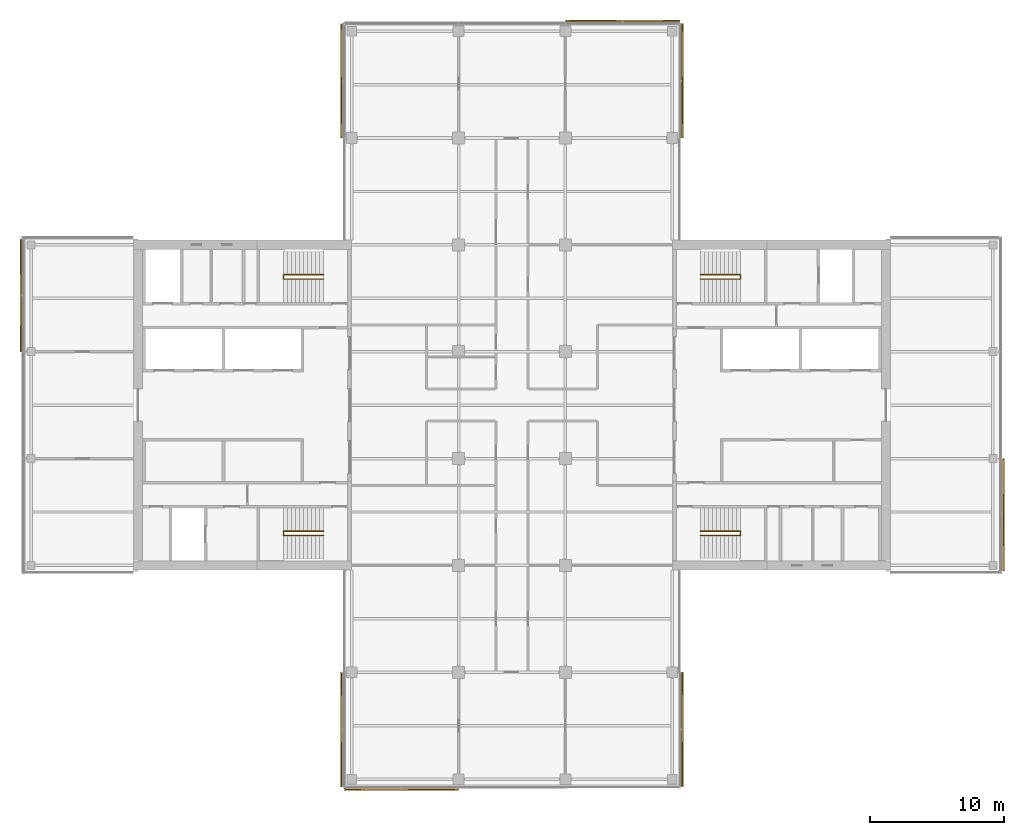
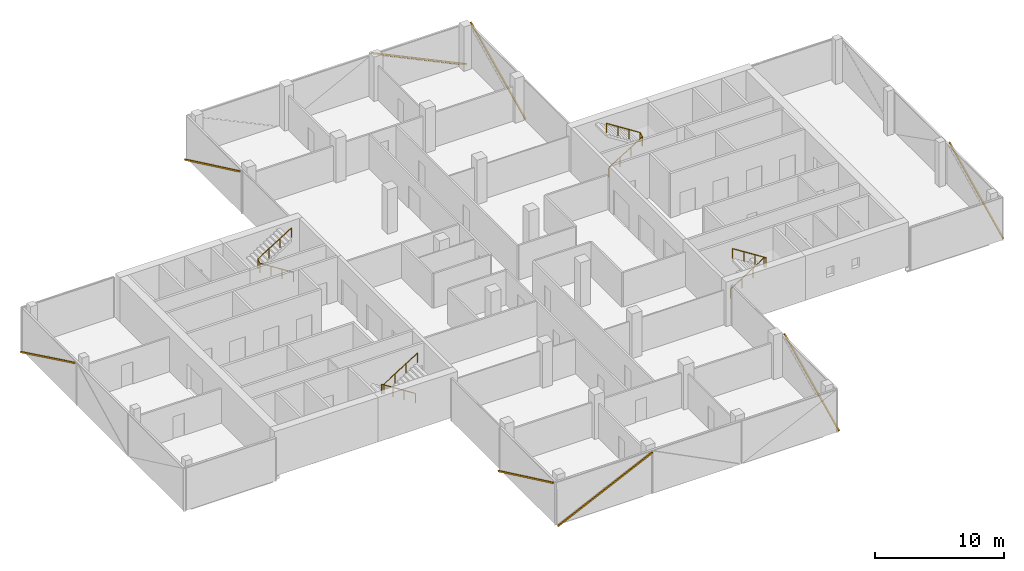
# One storey, part 22 of 22: 8 shading devices, 4 railings, 8 elements without a shape of their own.
"""IFC4 building model written with IfcOpenShell, lengths in metres."""

import ifcopenshell
import ifcopenshell.guid

model = None  # the IFC model being written
_history = None  # IfcOwnerHistory: only IFC2X3 demands one
_inside = {}  # id of a spatial element -> (the spatial element, [elements in it])
_under = {}  # id of a project, library or spatial element -> (it, [spatial elements below it])
_declared = {}  # id of a project -> (the project, [libraries it declares])
_typed = {}  # id of a type object -> (the type object, [elements of that type])
_made_of = {}  # id of a material, layer set ... -> (it, [elements and type objects made of it])


def new_model(schema):
    """Start an empty IFC model of exactly this schema.

    Asked for "IFC4X3", IfcOpenShell would pick the latest addendum, in which some entities
    have other attributes; the version numbers below select the first issue.
    IFC2X3 requires an IfcOwnerHistory on every rooted entity: one is made here for all.
    """
    global model, _history
    if schema == "IFC4X3":
        model = ifcopenshell.file(schema_version=(4, 3, 0, 0))
    else:
        model = ifcopenshell.file(schema=schema)
    _inside.clear()
    _under.clear()
    _declared.clear()
    _typed.clear()
    _made_of.clear()
    _history = None
    if model.schema == "IFC2X3":
        org = make("IfcOrganization", Name="unknown")
        user = make(
            "IfcPersonAndOrganization",
            ThePerson=make("IfcPerson", FamilyName="unknown"),
            TheOrganization=org,
        )
        app = make(
            "IfcApplication",
            ApplicationDeveloper=org,
            Version="unknown",
            ApplicationFullName="unknown",
            ApplicationIdentifier="unknown",
        )
        _history = make(
            "IfcOwnerHistory",
            OwningUser=user,
            OwningApplication=app,
            ChangeAction="ADDED",
            CreationDate=0,
        )
    return model


def make(cls, **values):
    """One entity of the class cls with the attributes given. An attribute that is None is left unset."""
    return model.create_entity(
        cls, **{name: value for name, value in values.items() if value is not None}
    )


def rooted(cls, **values):
    """An entity with a GlobalId (a new one), such as an element, a storey or a relation."""
    return make(cls, GlobalId=ifcopenshell.guid.new(), OwnerHistory=_history, **values)


def si_unit(unit_type, name, prefix=None):
    """IfcSIUnit, for example si_unit("LENGTHUNIT", "METRE", prefix="MILLI")."""
    return make("IfcSIUnit", UnitType=unit_type, Prefix=prefix, Name=name)


def assignment(units):
    """IfcUnitAssignment: the units of a project."""
    return None if units is None else make("IfcUnitAssignment", Units=units)


def point(xyz):
    """IfcCartesianPoint."""
    return None if xyz is None else make("IfcCartesianPoint", Coordinates=xyz)


def direction(xyz):
    """IfcDirection."""
    return None if xyz is None else make("IfcDirection", DirectionRatios=xyz)


def frame(location, z_axis=None, x_axis=None):
    """IfcAxis2Placement3D, a coordinate frame: its origin and axes. An axis left out is left unset."""
    return make(
        "IfcAxis2Placement3D",
        Location=point(location),
        Axis=direction(z_axis),
        RefDirection=direction(x_axis),
    )


def frame_2d(location, x_axis=None):
    """IfcAxis2Placement2D, a coordinate frame in the plane: its origin and x axis."""
    return make(
        "IfcAxis2Placement2D", Location=point(location), RefDirection=direction(x_axis)
    )


def origin():
    """The frame at (0, 0, 0) with its axes left unset."""
    return frame((0.0, 0.0, 0.0))


def origin_2d():
    """The frame at (0, 0) in the plane with its x axis left unset."""
    return frame_2d((0.0, 0.0))


def place(relative_to, where):
    """IfcLocalPlacement: puts the frame where relative to a parent placement (None: the world)."""
    return make(
        "IfcLocalPlacement", PlacementRelTo=relative_to, RelativePlacement=where
    )


def context(
    kind, dimensions, precision=None, world=None, true_north=None, identifier=None
):
    """IfcGeometricRepresentationContext, for example the 3D "Model" context."""
    return make(
        "IfcGeometricRepresentationContext",
        ContextIdentifier=identifier,
        ContextType=kind,
        CoordinateSpaceDimension=dimensions,
        Precision=precision,
        WorldCoordinateSystem=world,
        TrueNorth=true_north,
    )


def subcontext(parent, identifier, kind, view, scale=None):
    """IfcGeometricRepresentationSubContext, for example "Body" below "Model"."""
    return make(
        "IfcGeometricRepresentationSubContext",
        ContextIdentifier=identifier,
        ContextType=kind,
        ParentContext=parent,
        TargetScale=scale,
        TargetView=view,
    )


def project(units=None, contexts=None):
    """IfcProject with its units and contexts."""
    return rooted(
        "IfcProject",
        Name="project",
        RepresentationContexts=contexts,
        UnitsInContext=assignment(units),
    )


def spatial(cls, under=None, at=None, **own):
    """A site, building, storey or space (cls), placed at a placement, below another one or the project."""
    s = rooted(cls, ObjectPlacement=at, **own)
    if under is not None:
        _under.setdefault(under.id(), (under, []))[1].append(s)
    return s


def profile(cls, at=None, kind="AREA", **sizes):
    """A parametric profile (cls). Its sizes go by their IFC names, for example OverallWidth=200.0."""
    return make(cls, ProfileType=kind, Position=at, **sizes)


def rectangle(**sizes):
    """IfcRectangleProfileDef."""
    return profile("IfcRectangleProfileDef", **sizes)


def circle(**sizes):
    """IfcCircleProfileDef."""
    return profile("IfcCircleProfileDef", **sizes)


def extrude(swept, where, along, depth):
    """IfcExtrudedAreaSolid: the profile swept, set in the frame where, extruded along a direction by depth."""
    return make(
        "IfcExtrudedAreaSolid",
        SweptArea=swept,
        Position=where,
        ExtrudedDirection=direction(along),
        Depth=depth,
    )


def shape(context_of_items, identifier, shape_type, items):
    """IfcShapeRepresentation: the items that make up one representation, for example the "Body"."""
    return make(
        "IfcShapeRepresentation",
        ContextOfItems=context_of_items,
        RepresentationIdentifier=identifier,
        RepresentationType=shape_type,
        Items=items,
    )


def material(Name=None, Category=None):
    """IfcMaterial."""
    return make("IfcMaterial", Name=Name, Category=Category)


def material_profile(
    of_material, cross_section, Name=None, Category=None, Priority=None
):
    """IfcMaterialProfile: a cross section and its material."""
    return make(
        "IfcMaterialProfile",
        Name=Name,
        Material=of_material,
        Profile=cross_section,
        Priority=Priority,
        Category=Category,
    )


def profile_set(profiles, Name=None, composite=None):
    """IfcMaterialProfileSet."""
    return make(
        "IfcMaterialProfileSet",
        Name=Name,
        MaterialProfiles=profiles,
        CompositeProfile=composite,
    )


def made_of(thing, what):
    """Note that an element or type object is made of a material, layer set ...; save() writes the relation."""
    if what is not None:
        _made_of.setdefault(what.id(), (what, []))[1].append(thing)
    return thing


def type_object(cls, material=None, **own):
    """A type object (cls), such as IfcWallType, which elements share."""
    return made_of(rooted(cls, **own), material)


def element(
    cls,
    number,
    at=None,
    inside=None,
    cuts=None,
    type_object=None,
    material=None,
    context=None,
    identifier="Body",
    shape_type=None,
    held_by="IfcProductDefinitionShape",
    body=None,
    shapes=None,
    **own,
):
    """One element of the class cls, such as IfcWall. Its Tag is "e" and its number.

    at: its placement. inside: the storey or other place that contains it. cuts: it is an
    opening in that element (IfcRelVoidsElement). A single representation is given by context,
    identifier, shape_type and body (its items); several are given by shapes. held_by: the class
    of the entity that holds the representations. save() writes the other relations.
    """
    e = rooted(cls, Tag="e%d" % number, ObjectPlacement=at, **own)
    if body is not None:
        shapes = [shape(context, identifier, shape_type, body)]
    if shapes is not None:
        e.Representation = make(held_by, Representations=shapes)
    if inside is not None:
        _inside.setdefault(inside.id(), (inside, []))[1].append(e)
    if cuts is not None:
        rooted(
            "IfcRelVoidsElement", RelatingBuildingElement=cuts, RelatedOpeningElement=e
        )
    if type_object is not None:
        _typed.setdefault(type_object.id(), (type_object, []))[1].append(e)
    return made_of(e, material)


def aggregate(whole, parts):
    """IfcRelAggregates: a whole, such as a stair, and the parts it consists of."""
    return rooted("IfcRelAggregates", RelatingObject=whole, RelatedObjects=parts)


def save(model, path):
    """Write the relations noted so far, then the file.

    IfcRelAggregates (storeys below a building ...), IfcRelContainedInSpatialStructure (elements
    in a storey), IfcRelDefinesByType, IfcRelAssociatesMaterial and IfcRelDeclares: one each for
    every whole, place, type object, material and project.
    """
    for whole, parts in _under.values():
        aggregate(whole, parts)
    for where, things in _inside.values():
        rooted(
            "IfcRelContainedInSpatialStructure",
            RelatedElements=things,
            RelatingStructure=where,
        )
    for kind, things in _typed.values():
        rooted("IfcRelDefinesByType", RelatedObjects=things, RelatingType=kind)
    for what, things in _made_of.values():
        rooted("IfcRelAssociatesMaterial", RelatedObjects=things, RelatingMaterial=what)
    for by, libraries in _declared.values():
        rooted("IfcRelDeclares", RelatingContext=by, RelatedDefinitions=libraries)
    model.write(path)


model = new_model("IFC4")

# Units and contexts
model_context = context("Model", 3, precision=1e-05, world=origin(), true_north=direction((0.0, 1.0)))
body_context = subcontext(model_context, "Body", "Model", "MODEL_VIEW")
ifc_project = project(units=[si_unit("LENGTHUNIT", "METRE"), si_unit("AREAUNIT", "SQUARE_METRE"), si_unit("VOLUMEUNIT", "CUBIC_METRE"), si_unit("PLANEANGLEUNIT", "RADIAN"), si_unit("MASSUNIT", "GRAM", prefix="KILO")], contexts=[model_context])

# Site, building, storey
site_placement = place(None, origin())
site = spatial("IfcSite", under=ifc_project, at=site_placement, CompositionType="ELEMENT")
building_placement = place(site_placement, origin())
building = spatial("IfcBuilding", under=site, at=building_placement, Name="Crosswind Convention Tower", CompositionType="ELEMENT")
storey_placement = place(building_placement, frame((0.0, 0.0, 167.300048828125)))
storey = spatial("IfcBuildingStorey", under=building, at=storey_placement, Name="L35", CompositionType="ELEMENT", Elevation=167.300048828125)

# Railings
ifc_material_1 = material(Name="Stainless steel", Category="steel")
railing_type = type_object("IfcRailingType", Name="Stair handrail 900", PredefinedType="HANDRAIL", material=ifc_material_1)
railing_1_placement = place(storey_placement, frame((139.10009765625, 109.43994140625, 0.19091796875)))
element("IfcRailing", 1, at=railing_1_placement, inside=storey, type_object=railing_type, Name="Stair ST1 handrail L35", PredefinedType="HANDRAIL", context=body_context, shape_type="SweptSolid", body=[
    extrude(circle(Radius=0.02392578125, at=origin_2d()), frame((0.0, 0.0, 0.8759765625), z_axis=(0.843681277094, 0.0, 0.536844393359), x_axis=(0.0, 1.0, 0.0)), (0.0, 0.0, 1.0), 3.555908203125),
    extrude(circle(Radius=0.02392578125, at=origin_2d()), frame((3.0, 0.0, 2.78466796875), z_axis=(0.0, 0.858819504967, 0.512278301208), x_axis=(-1.0, 0.0, 0.0)), (0.0, 0.0, 1.0), 0.372802734375),
    extrude(circle(Radius=0.02392578125, at=origin_2d()), frame((3.0, 0.320068359375, 2.9755859375), z_axis=(-0.843650179428, 0.0, 0.536893261973), x_axis=(0.0, -1.0, 0.0)), (0.0, 0.0, 1.0), 3.555908203125),
    extrude(circle(Radius=0.02099609375, at=origin_2d()), origin(), (0.0, 0.0, 1.0), 0.851806640625),
    extrude(circle(Radius=0.02099609375, at=origin_2d()), frame((1.0, 0.0, 0.63623046875)), (0.0, 0.0, 1.0), 0.851806640625),
    extrude(circle(Radius=0.02099609375, at=origin_2d()), frame((2.0, 0.0, 1.272705078125)), (0.0, 0.0, 1.0), 0.851806640625),
    extrude(circle(Radius=0.02099609375, at=origin_2d()), frame((3.0, 0.0, 1.908935546875)), (0.0, 0.0, 1.0), 0.851806640625),
    extrude(circle(Radius=0.02099609375, at=origin_2d()), frame((3.0, 0.320068359375, 2.099853515625)), (0.0, 0.0, 1.0), 0.851806640625),
    extrude(circle(Radius=0.02099609375, at=origin_2d()), frame((2.0, 0.320068359375, 2.736328125)), (0.0, 0.0, 1.0), 0.851806640625),
    extrude(circle(Radius=0.02099609375, at=origin_2d()), frame((1.0, 0.320068359375, 3.37255859375)), (0.0, 0.0, 1.0), 0.851806640625),
    extrude(circle(Radius=0.02099609375, at=origin_2d()), frame((0.0, 0.320068359375, 4.009033203125)), (0.0, 0.0, 1.0), 0.851806640625),
])
railing_2_placement = place(storey_placement, frame((139.10009765625, 90.56005859375, 0.19091796875)))
element("IfcRailing", 2, at=railing_2_placement, inside=storey, type_object=railing_type, Name="Stair ST2 handrail L35", PredefinedType="HANDRAIL", context=body_context, shape_type="SweptSolid", body=[
    extrude(circle(Radius=0.02392578125, at=origin_2d()), frame((0.0, 0.0, 0.8759765625), z_axis=(0.843681277094, 0.0, 0.536844393359), x_axis=(0.0, 1.0, 0.0)), (0.0, 0.0, 1.0), 3.555908203125),
    extrude(circle(Radius=0.02392578125, at=origin_2d()), frame((3.0, 0.0, 2.78466796875), z_axis=(0.0, -0.858819504967, 0.512278301208), x_axis=(1.0, 0.0, 0.0)), (0.0, 0.0, 1.0), 0.372802734375),
    extrude(circle(Radius=0.02392578125, at=origin_2d()), frame((3.0, -0.320068359375, 2.9755859375), z_axis=(-0.843650179428, 0.0, 0.536893261973), x_axis=(0.0, -1.0, 0.0)), (0.0, 0.0, 1.0), 3.555908203125),
    extrude(circle(Radius=0.02099609375, at=origin_2d()), origin(), (0.0, 0.0, 1.0), 0.851806640625),
    extrude(circle(Radius=0.02099609375, at=origin_2d()), frame((1.0, 0.0, 0.63623046875)), (0.0, 0.0, 1.0), 0.851806640625),
    extrude(circle(Radius=0.02099609375, at=origin_2d()), frame((2.0, 0.0, 1.272705078125)), (0.0, 0.0, 1.0), 0.851806640625),
    extrude(circle(Radius=0.02099609375, at=origin_2d()), frame((3.0, 0.0, 1.908935546875)), (0.0, 0.0, 1.0), 0.851806640625),
    extrude(circle(Radius=0.02099609375, at=origin_2d()), frame((3.0, -0.320068359375, 2.099853515625)), (0.0, 0.0, 1.0), 0.851806640625),
    extrude(circle(Radius=0.02099609375, at=origin_2d()), frame((2.0, -0.320068359375, 2.736328125)), (0.0, 0.0, 1.0), 0.851806640625),
    extrude(circle(Radius=0.02099609375, at=origin_2d()), frame((1.0, -0.320068359375, 3.37255859375)), (0.0, 0.0, 1.0), 0.851806640625),
    extrude(circle(Radius=0.02099609375, at=origin_2d()), frame((0.0, -0.320068359375, 4.009033203125)), (0.0, 0.0, 1.0), 0.851806640625),
])
railing_3_placement = place(storey_placement, frame((110.89990234375, 90.56005859375, 0.19091796875)))
element("IfcRailing", 3, at=railing_3_placement, inside=storey, type_object=railing_type, Name="Stair ST3 handrail L35", PredefinedType="HANDRAIL", context=body_context, shape_type="SweptSolid", body=[
    extrude(circle(Radius=0.02392578125, at=origin_2d()), frame((0.0, 0.0, 0.8759765625), z_axis=(-0.843681277094, 0.0, 0.536844393359), x_axis=(0.0, -1.0, 0.0)), (0.0, 0.0, 1.0), 3.555908203125),
    extrude(circle(Radius=0.02392578125, at=origin_2d()), frame((-3.0, 0.0, 2.78466796875), z_axis=(0.0, -0.858819504967, 0.512278301208), x_axis=(1.0, 0.0, 0.0)), (0.0, 0.0, 1.0), 0.372802734375),
    extrude(circle(Radius=0.02392578125, at=origin_2d()), frame((-3.0, -0.320068359375, 2.9755859375), z_axis=(0.843650179428, 0.0, 0.536893261973), x_axis=(0.0, 1.0, 0.0)), (0.0, 0.0, 1.0), 3.555908203125),
    extrude(circle(Radius=0.02099609375, at=origin_2d()), origin(), (0.0, 0.0, 1.0), 0.851806640625),
    extrude(circle(Radius=0.02099609375, at=origin_2d()), frame((-1.0, 0.0, 0.63623046875)), (0.0, 0.0, 1.0), 0.851806640625),
    extrude(circle(Radius=0.02099609375, at=origin_2d()), frame((-2.0, 0.0, 1.272705078125)), (0.0, 0.0, 1.0), 0.851806640625),
    extrude(circle(Radius=0.02099609375, at=origin_2d()), frame((-3.0, 0.0, 1.908935546875)), (0.0, 0.0, 1.0), 0.851806640625),
    extrude(circle(Radius=0.02099609375, at=origin_2d()), frame((-3.0, -0.320068359375, 2.099853515625)), (0.0, 0.0, 1.0), 0.851806640625),
    extrude(circle(Radius=0.02099609375, at=origin_2d()), frame((-2.0, -0.320068359375, 2.736328125)), (0.0, 0.0, 1.0), 0.851806640625),
    extrude(circle(Radius=0.02099609375, at=origin_2d()), frame((-1.0, -0.320068359375, 3.37255859375)), (0.0, 0.0, 1.0), 0.851806640625),
    extrude(circle(Radius=0.02099609375, at=origin_2d()), frame((0.0, -0.320068359375, 4.009033203125)), (0.0, 0.0, 1.0), 0.851806640625),
])
railing_4_placement = place(storey_placement, frame((110.89990234375, 109.43994140625, 0.19091796875)))
element("IfcRailing", 4, at=railing_4_placement, inside=storey, type_object=railing_type, Name="Stair ST4 handrail L35", PredefinedType="HANDRAIL", context=body_context, shape_type="SweptSolid", body=[
    extrude(circle(Radius=0.02392578125, at=origin_2d()), frame((0.0, 0.0, 0.8759765625), z_axis=(-0.843681277094, 0.0, 0.536844393359), x_axis=(0.0, -1.0, 0.0)), (0.0, 0.0, 1.0), 3.555908203125),
    extrude(circle(Radius=0.02392578125, at=origin_2d()), frame((-3.0, 0.0, 2.78466796875), z_axis=(0.0, 0.858819504967, 0.512278301208), x_axis=(-1.0, 0.0, 0.0)), (0.0, 0.0, 1.0), 0.372802734375),
    extrude(circle(Radius=0.02392578125, at=origin_2d()), frame((-3.0, 0.320068359375, 2.9755859375), z_axis=(0.843650179428, 0.0, 0.536893261973), x_axis=(0.0, 1.0, 0.0)), (0.0, 0.0, 1.0), 3.555908203125),
    extrude(circle(Radius=0.02099609375, at=origin_2d()), origin(), (0.0, 0.0, 1.0), 0.851806640625),
    extrude(circle(Radius=0.02099609375, at=origin_2d()), frame((-1.0, 0.0, 0.63623046875)), (0.0, 0.0, 1.0), 0.851806640625),
    extrude(circle(Radius=0.02099609375, at=origin_2d()), frame((-2.0, 0.0, 1.272705078125)), (0.0, 0.0, 1.0), 0.851806640625),
    extrude(circle(Radius=0.02099609375, at=origin_2d()), frame((-3.0, 0.0, 1.908935546875)), (0.0, 0.0, 1.0), 0.851806640625),
    extrude(circle(Radius=0.02099609375, at=origin_2d()), frame((-3.0, 0.320068359375, 2.099853515625)), (0.0, 0.0, 1.0), 0.851806640625),
    extrude(circle(Radius=0.02099609375, at=origin_2d()), frame((-2.0, 0.320068359375, 2.736328125)), (0.0, 0.0, 1.0), 0.851806640625),
    extrude(circle(Radius=0.02099609375, at=origin_2d()), frame((-1.0, 0.320068359375, 3.37255859375)), (0.0, 0.0, 1.0), 0.851806640625),
    extrude(circle(Radius=0.02099609375, at=origin_2d()), frame((0.0, 0.320068359375, 4.009033203125)), (0.0, 0.0, 1.0), 0.851806640625),
])

# Curtain wall, shading device
ifc_material_2 = material(Name="Aluminium unitised curtain wall", Category="aluminium")
curtain_wall_type = type_object("IfcCurtainWallType", Name="OFFICE UNITISED WALL 220", PredefinedType="USERDEFINED", material=ifc_material_2)
curtain_wall_1_placement = place(storey_placement, origin())
curtain_wall_1 = element("IfcCurtainWall", 5, at=curtain_wall_1_placement, inside=storey, type_object=curtain_wall_type, Name="CW3 L35 E-TIP 1", ObjectType="UNITISED", PredefinedType="USERDEFINED")
ifc_material_3 = material(Name="Extruded terracotta", Category="masonry")
ifc_material_profile = material_profile(ifc_material_3, rectangle(XDim=0.110107421875, YDim=0.1298828125, at=origin_2d()), Name="TC 110X130")
ifc_profile_set = profile_set([ifc_material_profile], Name="Extruded terracotta")
shading_device_type = type_object("IfcShadingDeviceType", Name="TERRACOTTA BAGUETTE 130X110", PredefinedType="USERDEFINED", material=ifc_profile_set)
shading_device_1_placement = place(storey_placement, frame((161.781005859375, 87.6201171875, -0.300048828125), z_axis=(0.0, 0.900491519955, 0.434873570694), x_axis=(-1.0, 0.0, 0.0)))
shading_device_1 = element("IfcShadingDevice", 6, at=shading_device_1_placement, type_object=shading_device_type, Name="CW3 terracotta baguette 1", ObjectType="BAGUETTE", PredefinedType="USERDEFINED", context=body_context, shape_type="SweptSolid", body=[
    extrude(rectangle(XDim=0.110107421875, YDim=0.1298828125, at=origin_2d()), origin(), (0.0, 0.0, 1.0), 9.26708984375),
])
aggregate(curtain_wall_1, [shading_device_1])

curtain_wall_2_placement = place(storey_placement, origin())
curtain_wall_2 = element("IfcCurtainWall", 7, at=curtain_wall_2_placement, inside=storey, type_object=curtain_wall_type, Name="CW3 L35 N-E 1", ObjectType="UNITISED", PredefinedType="USERDEFINED")
shading_device_2_placement = place(storey_placement, frame((137.781005859375, 120.034912109375, -0.300048828125), z_axis=(0.0, 0.903389480252, 0.42882099642), x_axis=(-1.0, 0.0, 0.0)))
shading_device_2 = element("IfcShadingDevice", 8, at=shading_device_2_placement, type_object=shading_device_type, Name="CW3 terracotta baguette 1", ObjectType="BAGUETTE", PredefinedType="USERDEFINED", context=body_context, shape_type="SweptSolid", body=[
    extrude(rectangle(XDim=0.110107421875, YDim=0.1298828125, at=origin_2d()), origin(), (0.0, 0.0, 1.0), 9.39794921875),
])
aggregate(curtain_wall_2, [shading_device_2])

curtain_wall_3_placement = place(storey_placement, origin())
curtain_wall_3 = element("IfcCurtainWall", 9, at=curtain_wall_3_placement, inside=storey, type_object=curtain_wall_type, Name="CW3 L35 N-TIP 1", ObjectType="UNITISED", PredefinedType="USERDEFINED")
shading_device_3_placement = place(storey_placement, frame((137.52490234375, 128.781005859375, -0.300048828125), z_axis=(-0.903389480252, 0.0, 0.42882099642), x_axis=(0.0, -1.0, 0.0)))
shading_device_3 = element("IfcShadingDevice", 10, at=shading_device_3_placement, type_object=shading_device_type, Name="CW3 terracotta baguette 1", ObjectType="BAGUETTE", PredefinedType="USERDEFINED", context=body_context, shape_type="SweptSolid", body=[
    extrude(rectangle(XDim=0.110107421875, YDim=0.1298828125, at=origin_2d()), origin(), (0.0, 0.0, 1.0), 9.39794921875),
])
aggregate(curtain_wall_3, [shading_device_3])

curtain_wall_4_placement = place(storey_placement, origin())
curtain_wall_4 = element("IfcCurtainWall", 11, at=curtain_wall_4_placement, inside=storey, type_object=curtain_wall_type, Name="CW3 L35 N-W 1", ObjectType="UNITISED", PredefinedType="USERDEFINED")
shading_device_4_placement = place(storey_placement, frame((112.218994140625, 128.52490234375, -0.300048828125), z_axis=(0.0, -0.903389480252, 0.42882099642), x_axis=(1.0, 0.0, 0.0)))
shading_device_4 = element("IfcShadingDevice", 12, at=shading_device_4_placement, type_object=shading_device_type, Name="CW3 terracotta baguette 1", ObjectType="BAGUETTE", PredefinedType="USERDEFINED", context=body_context, shape_type="SweptSolid", body=[
    extrude(rectangle(XDim=0.110107421875, YDim=0.1298828125, at=origin_2d()), origin(), (0.0, 0.0, 1.0), 9.39794921875),
])
aggregate(curtain_wall_4, [shading_device_4])

curtain_wall_5_placement = place(storey_placement, origin())
curtain_wall_5 = element("IfcCurtainWall", 13, at=curtain_wall_5_placement, inside=storey, type_object=curtain_wall_type, Name="CW3 L35 W-TIP 1", ObjectType="UNITISED", PredefinedType="USERDEFINED")
shading_device_5_placement = place(storey_placement, frame((88.218994140625, 112.3798828125, -0.300048828125), z_axis=(0.0, -0.900491519955, 0.434873570694), x_axis=(1.0, 0.0, 0.0)))
shading_device_5 = element("IfcShadingDevice", 14, at=shading_device_5_placement, type_object=shading_device_type, Name="CW3 terracotta baguette 1", ObjectType="BAGUETTE", PredefinedType="USERDEFINED", context=body_context, shape_type="SweptSolid", body=[
    extrude(rectangle(XDim=0.110107421875, YDim=0.1298828125, at=origin_2d()), origin(), (0.0, 0.0, 1.0), 9.26708984375),
])
aggregate(curtain_wall_5, [shading_device_5])

curtain_wall_6_placement = place(storey_placement, origin())
curtain_wall_6 = element("IfcCurtainWall", 15, at=curtain_wall_6_placement, inside=storey, type_object=curtain_wall_type, Name="CW3 L35 S-W 1", ObjectType="UNITISED", PredefinedType="USERDEFINED")
shading_device_6_placement = place(storey_placement, frame((112.218994140625, 79.965087890625, -0.300048828125), z_axis=(0.0, -0.903389480252, 0.42882099642), x_axis=(1.0, 0.0, 0.0)))
shading_device_6 = element("IfcShadingDevice", 16, at=shading_device_6_placement, type_object=shading_device_type, Name="CW3 terracotta baguette 1", ObjectType="BAGUETTE", PredefinedType="USERDEFINED", context=body_context, shape_type="SweptSolid", body=[
    extrude(rectangle(XDim=0.110107421875, YDim=0.1298828125, at=origin_2d()), origin(), (0.0, 0.0, 1.0), 9.39794921875),
])
aggregate(curtain_wall_6, [shading_device_6])

curtain_wall_7_placement = place(storey_placement, origin())
curtain_wall_7 = element("IfcCurtainWall", 17, at=curtain_wall_7_placement, inside=storey, type_object=curtain_wall_type, Name="CW3 L35 S-TIP 1", ObjectType="UNITISED", PredefinedType="USERDEFINED")
shading_device_7_placement = place(storey_placement, frame((112.47509765625, 71.218994140625, -0.300048828125), z_axis=(0.903389480252, 0.0, 0.42882099642), x_axis=(0.0, 1.0, 0.0)))
shading_device_7 = element("IfcShadingDevice", 18, at=shading_device_7_placement, type_object=shading_device_type, Name="CW3 terracotta baguette 1", ObjectType="BAGUETTE", PredefinedType="USERDEFINED", context=body_context, shape_type="SweptSolid", body=[
    extrude(rectangle(XDim=0.110107421875, YDim=0.1298828125, at=origin_2d()), origin(), (0.0, 0.0, 1.0), 9.39794921875),
])
aggregate(curtain_wall_7, [shading_device_7])

curtain_wall_8_placement = place(storey_placement, origin())
curtain_wall_8 = element("IfcCurtainWall", 19, at=curtain_wall_8_placement, inside=storey, type_object=curtain_wall_type, Name="CW3 L35 S-E 1", ObjectType="UNITISED", PredefinedType="USERDEFINED")
shading_device_8_placement = place(storey_placement, frame((137.781005859375, 71.47509765625, -0.300048828125), z_axis=(0.0, 0.903389480252, 0.42882099642), x_axis=(-1.0, 0.0, 0.0)))
shading_device_8 = element("IfcShadingDevice", 20, at=shading_device_8_placement, type_object=shading_device_type, Name="CW3 terracotta baguette 1", ObjectType="BAGUETTE", PredefinedType="USERDEFINED", context=body_context, shape_type="SweptSolid", body=[
    extrude(rectangle(XDim=0.110107421875, YDim=0.1298828125, at=origin_2d()), origin(), (0.0, 0.0, 1.0), 9.39794921875),
])
aggregate(curtain_wall_8, [shading_device_8])

save(model, "model.ifc")
